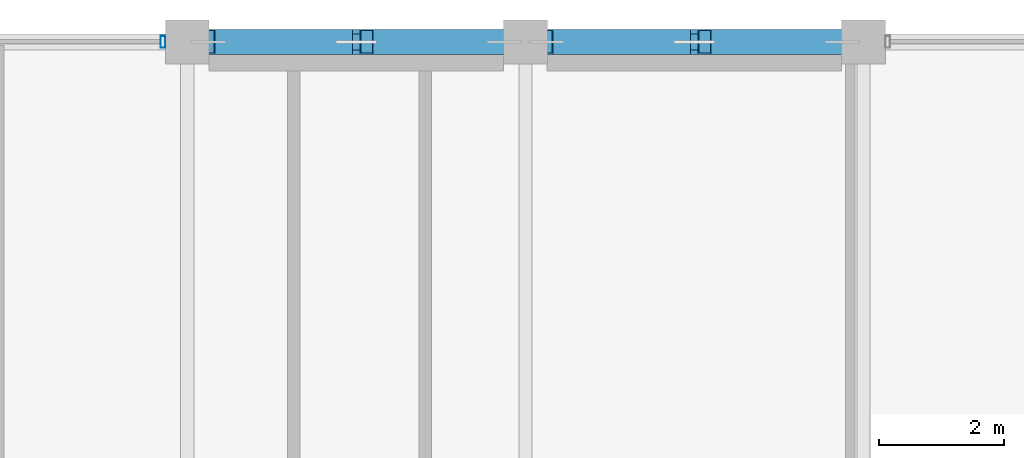
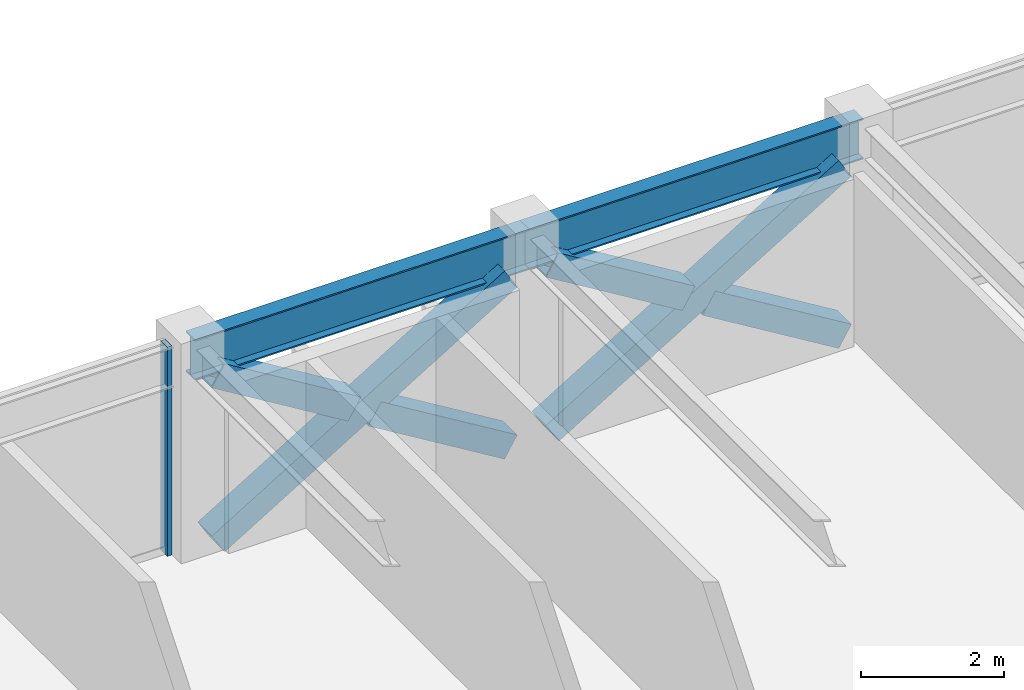
# One storey, part 19 of 31: 7 members, 2 beams, 1 element without a shape of its own.
"""IFC4 building model written with IfcOpenShell, lengths in metres."""

from ifc_helpers import new_model, si_unit, direction, frame, origin, origin_2d, place, context, subcontext, project, spatial, hollow_rectangle, i_section, extrude, material, layer, layer_set, material_profile, profile_set, type_object, element, aggregate, save


model = new_model("IFC4")

# Units and contexts
model_context = context("Model", 3, precision=1e-05, world=origin(), true_north=direction((0.0, 1.0)))
body_context = subcontext(model_context, "Body", "Model", "MODEL_VIEW")
ifc_project = project(units=[si_unit("LENGTHUNIT", "METRE"), si_unit("AREAUNIT", "SQUARE_METRE"), si_unit("VOLUMEUNIT", "CUBIC_METRE"), si_unit("PLANEANGLEUNIT", "RADIAN"), si_unit("MASSUNIT", "GRAM", prefix="KILO")], contexts=[model_context])

# Site, building, storey
site_placement = place(None, origin())
site = spatial("IfcSite", under=ifc_project, at=site_placement, CompositionType="ELEMENT")
building_placement = place(site_placement, origin())
building = spatial("IfcBuilding", under=site, at=building_placement, Name="Surkhivell Harbour Commons", CompositionType="ELEMENT")
storey_placement = place(building_placement, frame((0.0, 0.0, 285.0)))
storey = spatial("IfcBuildingStorey", under=building, at=storey_placement, Name="L74", CompositionType="ELEMENT", Elevation=285.0)

# Beams
ifc_material_1 = material(Name="Steel S355", Category="steel")
ifc_material_profile_1 = material_profile(ifc_material_1, i_section(OverallWidth=0.256103515625, OverallDepth=0.693115234375, WebThickness=0.014404296875, FlangeThickness=0.023681640625, at=origin_2d()), Name="UB686x254x170")
ifc_profile_set_1 = profile_set([ifc_material_profile_1], Name="Steel S355")
beam_type = type_object("IfcBeamType", Name="BM-SPN-686", PredefinedType="SPANDREL", material=ifc_profile_set_1)
for number, where, z_axis, x_axis, name in (
    (1, (-5.39990234375, 25.89990234375, 3.223388671875), (1.0, 0.0, 0.0), (0.0, 1.0, 0.0), "L74 Tube Spandrel (-5.4,25.9)"),
    (2, (0.0, 25.89990234375, 3.223388671875), (1.0, 0.0, 0.0), (0.0, 1.0, 0.0), "L74 Tube Spandrel (-0.0,25.9)"),
):
    element("IfcBeam", number, at=place(storey_placement, frame(where, z_axis=z_axis, x_axis=x_axis)), inside=storey, type_object=beam_type, Name=name, PredefinedType="SPANDREL", context=body_context, shape_type="SweptSolid", body=[
        extrude(i_section(OverallWidth=0.256103515625, OverallDepth=0.693115234375, WebThickness=0.014404296875, FlangeThickness=0.023681640625, at=origin_2d()), origin(), (0.0, 0.0, 1.0), 5.39990234375),
    ])

# Curtain wall, member
ifc_material_2 = material(Name="Anodised pale-metal aluminium and insulated glazing", Category="aluminium")
ifc_layer = layer(ifc_material_2, 0.175048828125)
ifc_layer_set = layer_set([ifc_layer], Name="Anodised pale-metal aluminium and insulated glazing")
curtain_wall_type = type_object("IfcCurtainWallType", Name="CW-SYS-Z4", PredefinedType="NOTDEFINED", material=ifc_layer_set)
curtain_wall_placement = place(storey_placement, origin())
curtain_wall = element("IfcCurtainWall", 3, at=curtain_wall_placement, inside=storey, type_object=curtain_wall_type, Name="L74 Curtain Wall CW-L74-E07S2", PredefinedType="NOTDEFINED")
ifc_material_3 = material(Name="Anodised pale-metal aluminium alloy 6063-T6", Category="aluminium")
ifc_material_profile_2 = material_profile(ifc_material_3, hollow_rectangle(XDim=0.074951171875, YDim=0.18994140625, WallThickness=0.00390625, at=origin_2d()), Name="ALU-MULL-75x190")
ifc_profile_set_2 = profile_set([ifc_material_profile_2], Name="Anodised pale-metal aluminium alloy 6063-T6")
member_type_1 = type_object("IfcMemberType", Name="CWM-190", PredefinedType="MULLION", material=ifc_profile_set_2)
member_1_placement = place(storey_placement, frame((-5.78955078125, 25.89990234375, 0.0), z_axis=(0.0, 0.0, 1.0), x_axis=(-1.0, 0.0, 0.0)))
member_1 = element("IfcMember", 4, at=member_1_placement, type_object=member_type_1, Name="CW-Z4 mullion 1", PredefinedType="MULLION", context=body_context, shape_type="SweptSolid", body=[
    extrude(hollow_rectangle(XDim=0.074951171875, YDim=0.18994140625, WallThickness=0.00390625, at=origin_2d()), origin(), (0.0, 0.0, 1.0), 3.570068359375),
])
aggregate(curtain_wall, [member_1])

# Members
ifc_material_4 = material(Name="Steel S460", Category="steel")
ifc_material_profile_3 = material_profile(ifc_material_4, hollow_rectangle(XDim=0.39990234375, YDim=0.39990234375, WallThickness=0.02001953125, at=origin_2d()), Name="SHS400x400x20")
ifc_profile_set_3 = profile_set([ifc_material_profile_3], Name="Steel S460")
member_type_2 = type_object("IfcMemberType", Name="MEM-BRC-SHS400", PredefinedType="BRACE", material=ifc_profile_set_3)
member_2_placement = place(storey_placement, frame((-5.06494140625, 25.89990234375, 0.008056640625), z_axis=(0.854685454322, 0.0, 0.519146197299), x_axis=(0.0, 1.0, 0.0)))
element("IfcMember", 5, at=member_2_placement, inside=storey, type_object=member_type_2, Name="L74 Perimeter Mega-Brace MB- 01", PredefinedType="BRACE", context=body_context, shape_type="SweptSolid", body=[
    extrude(hollow_rectangle(XDim=0.39990234375, YDim=0.39990234375, WallThickness=0.02001953125, at=origin_2d()), origin(), (0.0, 0.0, 1.0), 5.5341796875),
])
member_3_placement = place(storey_placement, frame((-0.3349609375, 25.89990234375, 0.008056640625), z_axis=(-0.854719912157, 0.0, 0.519089464122), x_axis=(0.0, -1.0, 0.0)))
element("IfcMember", 6, at=member_3_placement, inside=storey, type_object=member_type_2, Name="L74 Perimeter Mega-Brace MB- 02", PredefinedType="BRACE", context=body_context, shape_type="SweptSolid", body=[
    extrude(hollow_rectangle(XDim=0.39990234375, YDim=0.39990234375, WallThickness=0.02001953125, at=origin_2d()), origin(), (0.0, 0.0, 1.0), 2.574951171875),
])
member_4_placement = place(storey_placement, frame((-2.864013671875, 25.89990234375, 1.544189453125), z_axis=(-0.854677846108, 0.0, 0.519158722716), x_axis=(0.0, -1.0, 0.0)))
element("IfcMember", 7, at=member_4_placement, inside=storey, type_object=member_type_2, Name="L74 Perimeter Mega-Brace MB- 03", PredefinedType="BRACE", context=body_context, shape_type="SweptSolid", body=[
    extrude(hollow_rectangle(XDim=0.39990234375, YDim=0.39990234375, WallThickness=0.02001953125, at=origin_2d()), origin(), (0.0, 0.0, 1.0), 2.5751953125),
])
member_5_placement = place(storey_placement, frame((0.3349609375, 25.89990234375, 0.008056640625), z_axis=(0.854685454322, 0.0, 0.519146197299), x_axis=(0.0, 1.0, 0.0)))
element("IfcMember", 8, at=member_5_placement, inside=storey, type_object=member_type_2, Name="L74 Perimeter Mega-Brace MB- 04", PredefinedType="BRACE", context=body_context, shape_type="SweptSolid", body=[
    extrude(hollow_rectangle(XDim=0.39990234375, YDim=0.39990234375, WallThickness=0.02001953125, at=origin_2d()), origin(), (0.0, 0.0, 1.0), 5.5341796875),
])
member_6_placement = place(storey_placement, frame((5.06494140625, 25.89990234375, 0.008056640625), z_axis=(-0.854719912157, 0.0, 0.519089464122), x_axis=(0.0, -1.0, 0.0)))
element("IfcMember", 9, at=member_6_placement, inside=storey, type_object=member_type_2, Name="L74 Perimeter Mega-Brace MB- 05", PredefinedType="BRACE", context=body_context, shape_type="SweptSolid", body=[
    extrude(hollow_rectangle(XDim=0.39990234375, YDim=0.39990234375, WallThickness=0.02001953125, at=origin_2d()), origin(), (0.0, 0.0, 1.0), 2.574951171875),
])
member_7_placement = place(storey_placement, frame((2.535888671875, 25.89990234375, 1.544189453125), z_axis=(-0.854677846108, 0.0, 0.519158722716), x_axis=(0.0, -1.0, 0.0)))
element("IfcMember", 10, at=member_7_placement, inside=storey, type_object=member_type_2, Name="L74 Perimeter Mega-Brace MB- 06", PredefinedType="BRACE", context=body_context, shape_type="SweptSolid", body=[
    extrude(hollow_rectangle(XDim=0.39990234375, YDim=0.39990234375, WallThickness=0.02001953125, at=origin_2d()), origin(), (0.0, 0.0, 1.0), 2.5751953125),
])

save(model, "model.ifc")
